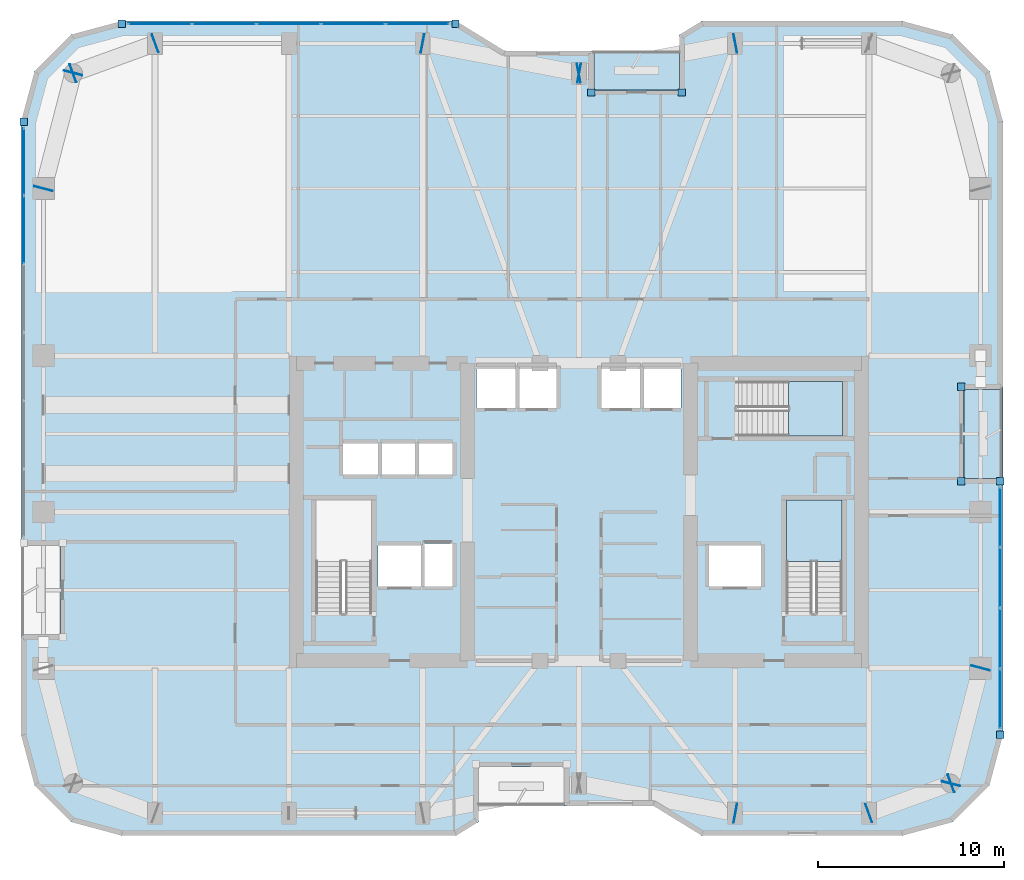
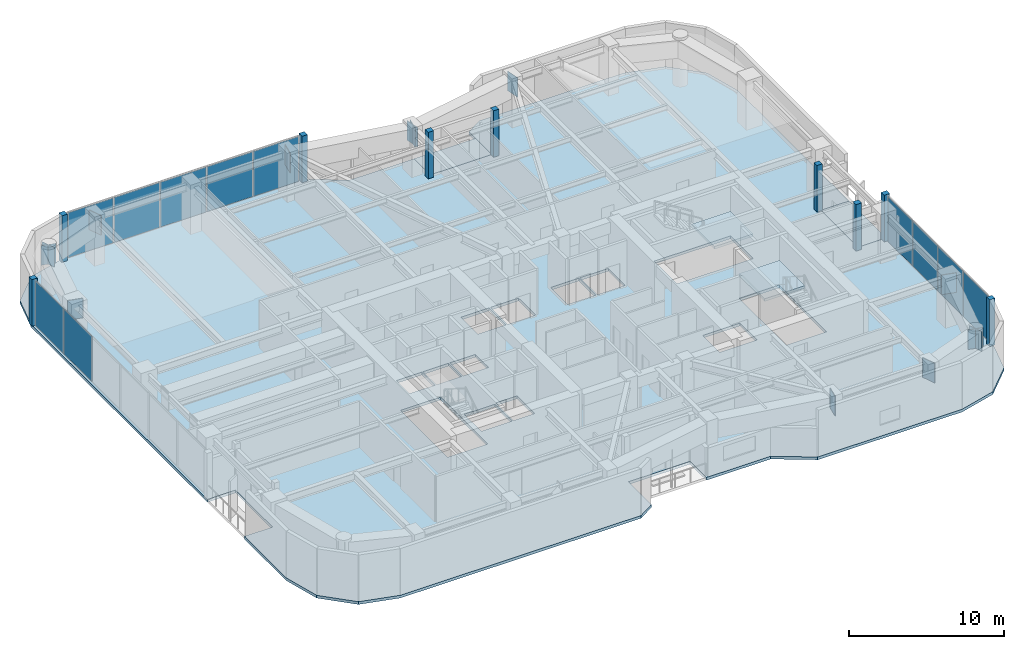
# One storey, part 22 of 30: 33 plates, 5 slabs, 5 elements without a shape of their own.
"""IFC4 building model written with IfcOpenShell, lengths in metres."""

from ifc_helpers import new_model, si_unit, direction, frame, origin, origin_2d, place, context, subcontext, project, spatial, polyline, rectangle, outline, extrude, material, layer, layer_set, type_object, element, aggregate, save


model = new_model("IFC4")

# Units and contexts
model_context = context("Model", 3, precision=1e-05, world=origin(), true_north=direction((0.0, 1.0)))
body_context = subcontext(model_context, "Body", "Model", "MODEL_VIEW")
ifc_project = project(units=[si_unit("LENGTHUNIT", "METRE"), si_unit("AREAUNIT", "SQUARE_METRE"), si_unit("VOLUMEUNIT", "CUBIC_METRE"), si_unit("PLANEANGLEUNIT", "RADIAN"), si_unit("MASSUNIT", "GRAM", prefix="KILO")], contexts=[model_context])

# Site, building, storey
site_placement = place(None, origin())
site = spatial("IfcSite", under=ifc_project, at=site_placement, CompositionType="ELEMENT")
building_placement = place(site_placement, origin())
building = spatial("IfcBuilding", under=site, at=building_placement, Name="Kiyonajd Concourse Tower", CompositionType="ELEMENT")
storey_placement = place(building_placement, frame((0.0, 0.0, 177.89990234375)))
storey = spatial("IfcBuildingStorey", under=building, at=storey_placement, Name="L45", CompositionType="ELEMENT", Elevation=177.89990234375)

# Plates
ifc_material_1 = material(Name="Steel ASTM A572 Grade 50", Category="steel")
ifc_layer_1 = layer(ifc_material_1, 0.031982421875)
ifc_layer_set_1 = layer_set([ifc_layer_1], Name="Steel ASTM A572 Grade 50")
plate_type_1 = type_object("IfcPlateType", Name="PL-CAP-540", PredefinedType="USERDEFINED", material=ifc_layer_set_1)
for number, where, z_axis, x_axis, name in (
    (1, (56.410888671875, 19.7978515625, 2.2099609375), (0.0, 0.0, 1.0), (0.982352599301, -0.187038420242, 0.0), "L45 Welded Box Girder End Cap"),
    (2, (63.589599609375, 19.796142578125, 2.2099609375), (0.0, 0.0, 1.0), (-0.939811951086, -0.341692107891, 0.0), "L45 Welded Box Girder End Cap"),
    (3, (68.01025390625, 21.40380859375, 2.2099609375), (0.0, 0.0, 1.0), (0.939811951086, 0.341692107891, 0.0), "L45 Welded Box Girder End Cap"),
    (4, (67.997314453125, 21.389404296875, 2.2099609375), (0.0, 0.0, 1.0), (-0.249873048837, -0.968278606324, 0.0), "L45 Welded Box Girder End Cap"),
    (5, (69.602783203125, 27.610595703125, 2.2099609375), (0.0, 0.0, 1.0), (0.249873048837, 0.968278606324, 0.0), "L45 Welded Box Girder End Cap"),
    (6, (56.410888671875, 61.2021484375, 2.2099609375), (0.0, 0.0, 1.0), (0.982352599301, 0.187038420242, 0.0), "L45 Welded Box Girder End Cap"),
    (7, (47.9892578125, 59.597900390625, 2.2099609375), (0.0, 0.0, 1.0), (-0.982352599301, -0.187038420242, 0.0), "L45 Welded Box Girder End Cap"),
    (8, (48.0107421875, 59.597900390625, 2.2099609375), (0.0, 0.0, 1.0), (0.982352599301, -0.187038420242, 0.0), "L45 Welded Box Girder End Cap"),
    (9, (39.589111328125, 61.2021484375, 2.2099609375), (0.0, 0.0, 1.0), (-0.982352599301, 0.187038420242, 0.0), "L45 Welded Box Girder End Cap"),
    (10, (25.210205078125, 61.203857421875, 2.2099609375), (0.0, 0.0, 1.0), (0.939811951086, 0.341692107891, 0.0), "L45 Welded Box Girder End Cap"),
    (11, (20.789794921875, 59.59619140625, 2.2099609375), (0.0, 0.0, 1.0), (-0.939811951086, -0.341692107891, 0.0), "L45 Welded Box Girder End Cap"),
    (12, (20.802734375, 59.610595703125, 2.2099609375), (0.0, 0.0, 1.0), (0.249873048837, 0.968278606324, 0.0), "L45 Welded Box Girder End Cap"),
    (13, (19.197265625, 53.389404296875, 2.2099609375), (0.0, 0.0, 1.0), (-0.249873048837, -0.968278606324, 0.0), "L45 Welded Box Girder End Cap"),
):
    element("IfcPlate", number, at=place(storey_placement, frame(where, z_axis=z_axis, x_axis=x_axis)), inside=storey, type_object=plate_type_1, Name=name, ObjectType="CAP PLATE", PredefinedType="USERDEFINED", context=body_context, shape_type="SweptSolid", body=[
        extrude(rectangle(XDim=0.035888671875, YDim=1.02001953125, at=origin_2d()), origin(), (0.0, 0.0, 1.0), 1.5400390625),
    ])

# Curtain wall, plates
ifc_material_2 = material(Name="Thermally Broken Anodised Aluminium", Category="aluminium")
ifc_layer_2 = layer(ifc_material_2, 0.179931640625)
ifc_layer_set_2 = layer_set([ifc_layer_2], Name="Thermally Broken Anodised Aluminium")
curtain_wall_type = type_object("IfcCurtainWallType", Name="CW-SYS-03", PredefinedType="NOTDEFINED", material=ifc_layer_set_2)
curtain_wall_1_placement = place(storey_placement, origin())
curtain_wall_1 = element("IfcCurtainWall", 14, at=curtain_wall_1_placement, inside=storey, type_object=curtain_wall_type, Name="L45 Unitised Curtain Wall CW3", PredefinedType="NOTDEFINED")
ifc_material_3 = material(Name="Double Low-E Insulated Glass", Category="glass")
ifc_layer_3 = layer(ifc_material_3, 0.033935546875)
ifc_layer_set_3 = layer_set([ifc_layer_3], Name="Double Low-E Insulated Glass")
plate_type_2 = type_object("IfcPlateType", Name="PL-CW-VIS34", PredefinedType="CURTAIN_PANEL", material=ifc_layer_set_3)
plate_1_placement = place(storey_placement, frame((18.139892578125, 51.17626953125, 0.06494140625), z_axis=(0.0, 0.0, 1.0), x_axis=(0.0, 1.0, 0.0)))
plate_1 = element("IfcPlate", 15, at=plate_1_placement, type_object=plate_type_2, Name="CW3 panel 5.1", PredefinedType="CURTAIN_PANEL", context=body_context, shape_type="SweptSolid", body=[
    extrude(rectangle(XDim=3.61181640625, YDim=0.033935546875, at=origin_2d()), origin(), (0.0, 0.0, 1.0), 3.550048828125),
])
plate_2_placement = place(storey_placement, frame((18.139892578125, 54.8369140625, 0.06494140625), z_axis=(0.0, 0.0, 1.0), x_axis=(0.0, 1.0, 0.0)))
plate_2 = element("IfcPlate", 16, at=plate_2_placement, type_object=plate_type_2, Name="CW3 panel 6.1", PredefinedType="CURTAIN_PANEL", context=body_context, shape_type="SweptSolid", body=[
    extrude(rectangle(XDim=3.579345703125, YDim=0.033935546875, at=origin_2d()), origin(), (0.0, 0.0, 1.0), 3.550048828125),
])
aggregate(curtain_wall_1, [plate_1, plate_2])

curtain_wall_2_placement = place(storey_placement, origin())
curtain_wall_2 = element("IfcCurtainWall", 17, at=curtain_wall_2_placement, inside=storey, type_object=curtain_wall_type, Name="L45 Unitised Curtain Wall CW3", PredefinedType="NOTDEFINED")
plate_3_placement = place(storey_placement, frame((25.4609375, 62.260009765625, 0.06494140625), z_axis=(0.0, 0.0, 1.0), x_axis=(1.0, 0.0, 0.0)))
plate_3 = element("IfcPlate", 18, at=plate_3_placement, type_object=plate_type_2, Name="CW3 panel 1.1", PredefinedType="CURTAIN_PANEL", context=body_context, shape_type="SweptSolid", body=[
    extrude(rectangle(XDim=3.375, YDim=0.033935546875, at=origin_2d()), origin(), (0.0, 0.0, 1.0), 3.550048828125),
])
plate_4_placement = place(storey_placement, frame((28.9169921875, 62.260009765625, 0.06494140625), z_axis=(0.0, 0.0, 1.0), x_axis=(1.0, 0.0, 0.0)))
plate_4 = element("IfcPlate", 19, at=plate_4_placement, type_object=plate_type_2, Name="CW3 panel 2.1", PredefinedType="CURTAIN_PANEL", context=body_context, shape_type="SweptSolid", body=[
    extrude(rectangle(XDim=3.407470703125, YDim=0.033935546875, at=origin_2d()), origin(), (0.0, 0.0, 1.0), 3.550048828125),
])
plate_5_placement = place(storey_placement, frame((32.389404296875, 62.260009765625, 0.06494140625), z_axis=(0.0, 0.0, 1.0), x_axis=(1.0, 0.0, 0.0)))
plate_5 = element("IfcPlate", 20, at=plate_5_placement, type_object=plate_type_2, Name="CW3 panel 3.1", PredefinedType="CURTAIN_PANEL", context=body_context, shape_type="SweptSolid", body=[
    extrude(rectangle(XDim=3.407470703125, YDim=0.033935546875, at=origin_2d()), origin(), (0.0, 0.0, 1.0), 3.550048828125),
])
plate_6_placement = place(storey_placement, frame((35.86181640625, 62.260009765625, 0.06494140625), z_axis=(0.0, 0.0, 1.0), x_axis=(1.0, 0.0, 0.0)))
plate_6 = element("IfcPlate", 21, at=plate_6_placement, type_object=plate_type_2, Name="CW3 panel 4.1", PredefinedType="CURTAIN_PANEL", context=body_context, shape_type="SweptSolid", body=[
    extrude(rectangle(XDim=3.407470703125, YDim=0.033935546875, at=origin_2d()), origin(), (0.0, 0.0, 1.0), 3.550048828125),
])
plate_7_placement = place(storey_placement, frame((39.31787109375, 62.260009765625, 0.06494140625), z_axis=(0.0, 0.0, 1.0), x_axis=(1.0, 0.0, 0.0)))
plate_7 = element("IfcPlate", 22, at=plate_7_placement, type_object=plate_type_2, Name="CW3 panel 5.1", PredefinedType="CURTAIN_PANEL", context=body_context, shape_type="SweptSolid", body=[
    extrude(rectangle(XDim=3.375, YDim=0.033935546875, at=origin_2d()), origin(), (0.0, 0.0, 1.0), 3.550048828125),
])
aggregate(curtain_wall_2, [plate_3, plate_4, plate_5, plate_6, plate_7])

curtain_wall_3_placement = place(storey_placement, origin())
curtain_wall_3 = element("IfcCurtainWall", 23, at=curtain_wall_3_placement, inside=storey, type_object=curtain_wall_type, Name="L45 Unitised Curtain Wall CW3", PredefinedType="NOTDEFINED")
plate_8_placement = place(storey_placement, frame((70.659912109375, 35.720947265625, 0.06494140625), z_axis=(0.0, 0.0, 1.0), x_axis=(0.0, -1.0, 0.0)))
plate_8 = element("IfcPlate", 24, at=plate_8_placement, type_object=plate_type_2, Name="CW3 panel 1.1", PredefinedType="CURTAIN_PANEL", context=body_context, shape_type="SweptSolid", body=[
    extrude(rectangle(XDim=3.16796875, YDim=0.033935546875, at=origin_2d()), origin(), (0.0, 0.0, 1.0), 3.550048828125),
])
plate_9_placement = place(storey_placement, frame((70.659912109375, 32.471923828125, 0.06494140625), z_axis=(0.0, 0.0, 1.0), x_axis=(0.0, -1.0, 0.0)))
plate_9 = element("IfcPlate", 25, at=plate_9_placement, type_object=plate_type_2, Name="CW3 panel 2.1", PredefinedType="CURTAIN_PANEL", context=body_context, shape_type="SweptSolid", body=[
    extrude(rectangle(XDim=3.200439453125, YDim=0.033935546875, at=origin_2d()), origin(), (0.0, 0.0, 1.0), 3.550048828125),
])
plate_10_placement = place(storey_placement, frame((70.659912109375, 29.20654296875, 0.06494140625), z_axis=(0.0, 0.0, 1.0), x_axis=(0.0, -1.0, 0.0)))
plate_10 = element("IfcPlate", 26, at=plate_10_placement, type_object=plate_type_2, Name="CW3 panel 3.1", PredefinedType="CURTAIN_PANEL", context=body_context, shape_type="SweptSolid", body=[
    extrude(rectangle(XDim=3.200439453125, YDim=0.033935546875, at=origin_2d()), origin(), (0.0, 0.0, 1.0), 3.550048828125),
])
plate_11_placement = place(storey_placement, frame((70.659912109375, 25.957275390625, 0.06494140625), z_axis=(0.0, 0.0, 1.0), x_axis=(0.0, -1.0, 0.0)))
plate_11 = element("IfcPlate", 27, at=plate_11_placement, type_object=plate_type_2, Name="CW3 panel 4.1", PredefinedType="CURTAIN_PANEL", context=body_context, shape_type="SweptSolid", body=[
    extrude(rectangle(XDim=3.16796875, YDim=0.033935546875, at=origin_2d()), origin(), (0.0, 0.0, 1.0), 3.550048828125),
])
aggregate(curtain_wall_3, [plate_8, plate_9, plate_10, plate_11])

# Plates
ifc_layer_4 = layer(ifc_material_2, 0.39990234375)
ifc_layer_set_4 = layer_set([ifc_layer_4], Name="Thermally Broken Anodised Aluminium")
plate_type_3 = type_object("IfcPlateType", Name="PL-JMB-400", PredefinedType="USERDEFINED", material=ifc_layer_set_4)
for number, where, z_axis, x_axis, name in (
    (28, (18.139892578125, 56.981689453125, 0.0), (0.0, 0.0, 1.0), (1.0, 0.0, 0.0), "L45 Facade Jamb Closure Plate 04"),
    (29, (23.41845703125, 62.260009765625, 0.0), (0.0, 0.0, 1.0), (1.0, 0.0, 0.0), "L45 Facade Jamb Closure Plate 05"),
    (30, (41.3603515625, 62.260009765625, 0.0), (0.0, 0.0, 1.0), (1.0, 0.0, 0.0), "L45 Facade Jamb Closure Plate 06"),
    (31, (48.659912109375, 58.56005859375, 0.0), (0.0, 0.0, 1.0), (1.0, 0.0, 0.0), "L45 Facade Jamb Closure Plate 07"),
    (32, (53.5400390625, 58.56005859375, 0.0), (0.0, 0.0, 1.0), (1.0, 0.0, 0.0), "L45 Facade Jamb Closure Plate 08"),
    (33, (68.56005859375, 42.739990234375, 0.0), (0.0, 0.0, 1.0), (1.0, 0.0, 0.0), "L45 Facade Jamb Closure Plate 09"),
    (34, (68.56005859375, 37.659912109375, 0.0), (0.0, 0.0, 1.0), (1.0, 0.0, 0.0), "L45 Facade Jamb Closure Plate 10"),
    (35, (70.659912109375, 37.659912109375, 0.0), (0.0, 0.0, 1.0), (1.0, 0.0, 0.0), "L45 Facade Jamb Closure Plate 11"),
    (36, (70.659912109375, 24.018310546875, 0.0), (0.0, 0.0, 1.0), (1.0, 0.0, 0.0), "L45 Facade Jamb Closure Plate 12"),
):
    element("IfcPlate", number, at=place(storey_placement, frame(where, z_axis=z_axis, x_axis=x_axis)), inside=storey, type_object=plate_type_3, Name=name, ObjectType="JAMB PLATE", PredefinedType="USERDEFINED", context=body_context, shape_type="SweptSolid", body=[
        extrude(rectangle(XDim=0.39990234375, YDim=0.39990234375, at=origin_2d()), origin(), (0.0, 0.0, 1.0), 3.679931640625),
    ])

# Stair, slab
ifc_material_4 = material(Name="Concrete C40/50", Category="concrete")
stair_type = type_object("IfcStairType", Name="ST-DLG-22R", PredefinedType="HALF_TURN_STAIR", material=ifc_material_4)
stair_1_placement = place(storey_placement, origin())
stair_1 = element("IfcStair", 37, at=stair_1_placement, inside=storey, type_object=stair_type, Name="L45 Protected Exit Stair ST2", PredefinedType="HALF_TURN_STAIR")
ifc_layer_5 = layer(ifc_material_4, 0.199951171875)
ifc_layer_set_5 = layer_set([ifc_layer_5], Name="Concrete C40/50")
slab_type_1 = type_object("IfcSlabType", Name="SL-LND-200", PredefinedType="LANDING", material=ifc_layer_set_5)
slab_1_placement = place(storey_placement, frame((0.0, 0.0, 1.75)))
slab_1 = element("IfcSlab", 38, at=slab_1_placement, type_object=slab_type_1, Name="ST2 landing 1", PredefinedType="LANDING", context=body_context, shape_type="SweptSolid", body=[
    extrude(outline(polyline([(62.14990234375, 33.35009765625), (62.14990234375, 36.64990234375), (59.14990234375, 36.64990234375), (59.14990234375, 33.35009765625), (62.14990234375, 33.35009765625)])), origin(), (0.0, 0.0, 1.0), 0.2001953125),
])
aggregate(stair_1, [slab_1])

stair_2_placement = place(storey_placement, origin())
stair_2 = element("IfcStair", 39, at=stair_2_placement, inside=storey, type_object=stair_type, Name="L45 Protected Exit Stair ST3", PredefinedType="HALF_TURN_STAIR")
slab_2_placement = place(storey_placement, frame((0.0, 0.0, 1.75)))
slab_2 = element("IfcSlab", 40, at=slab_2_placement, type_object=slab_type_1, Name="ST3 landing 1", PredefinedType="LANDING", context=body_context, shape_type="SweptSolid", body=[
    extrude(outline(polyline([(59.280029296875, 40.080078125), (62.179931640625, 40.080078125), (62.179931640625, 43.02001953125), (59.280029296875, 43.02001953125), (59.280029296875, 40.080078125)])), origin(), (0.0, 0.0, 1.0), 0.2001953125),
])
aggregate(stair_2, [slab_2])

# Slabs
ifc_material_5 = material(Name="Precast concrete C50/60", Category="concrete")
ifc_layer_6 = layer(ifc_material_5, 0.199951171875)
ifc_layer_set_6 = layer_set([ifc_layer_6], Name="Precast concrete C50/60")
slab_type_2 = type_object("IfcSlabType", Name="SL-LOG-200", PredefinedType="FLOOR", material=ifc_layer_set_6)
slab_3_placement = place(storey_placement, frame((0.0, 0.0, -0.199951171875)))
element("IfcSlab", 41, at=slab_3_placement, inside=storey, type_object=slab_type_2, Name="L45 Recessed Engawa Loggia Terrace Slab LOG-N", PredefinedType="FLOOR", context=body_context, shape_type="SweptSolid", body=[
    extrude(outline(polyline([(48.800048828125, 58.699951171875), (53.39990234375, 58.699951171875), (53.39990234375, 60.800048828125), (48.800048828125, 60.800048828125), (48.800048828125, 58.699951171875)])), origin(), (0.0, 0.0, 1.0), 0.199951171875),
])
slab_4_placement = place(storey_placement, frame((0.0, 0.0, -0.199951171875)))
element("IfcSlab", 42, at=slab_4_placement, inside=storey, type_object=slab_type_2, Name="L45 Recessed Engawa Loggia Terrace Slab LOG-E", PredefinedType="FLOOR", context=body_context, shape_type="SweptSolid", body=[
    extrude(outline(polyline([(68.699951171875, 37.800048828125), (70.800048828125, 37.800048828125), (70.800048828125, 42.60009765625), (68.699951171875, 42.60009765625), (68.699951171875, 37.800048828125)])), origin(), (0.0, 0.0, 1.0), 0.199951171875),
])
ifc_layer_7 = layer(ifc_material_4, 0.219970703125)
ifc_layer_set_7 = layer_set([ifc_layer_7], Name="Concrete C40/50")
slab_type_3 = type_object("IfcSlabType", Name="SL-TWR-220", PredefinedType="FLOOR", material=ifc_layer_set_7)
slab_5_placement = place(storey_placement, frame((0.0, 0.0, -0.219970703125)))
element("IfcSlab", 43, at=slab_5_placement, inside=storey, type_object=slab_type_3, Name="L45 Tower Conditioned Floor Slab", PredefinedType="FLOOR", context=body_context, shape_type="SweptSolid", body=[
    extrude(outline(polyline([(18.722900390625, 21.300048828125), (18.0, 24.0), (18.0, 29.39990234375), (20.10009765625, 29.39990234375), (20.10009765625, 34.199951171875), (18.0, 34.199951171875), (18.0, 57.0), (18.722900390625, 59.699951171875), (20.699951171875, 61.677001953125), (23.39990234375, 62.39990234375), (41.39990234375, 62.39990234375), (44.0, 60.800048828125), (48.800048828125, 60.800048828125), (48.800048828125, 58.699951171875), (53.39990234375, 58.699951171875), (53.39990234375, 61.662109375), (54.60009765625, 62.39990234375), (65.39990234375, 62.39990234375), (68.10009765625, 61.677001953125), (70.076904296875, 59.699951171875), (70.800048828125, 57.0), (70.800048828125, 42.60009765625), (68.699951171875, 42.60009765625), (68.699951171875, 37.800048828125), (70.800048828125, 37.800048828125), (70.800048828125, 24.0), (70.076904296875, 21.300048828125), (68.10009765625, 19.322998046875), (65.39990234375, 18.60009765625), (54.60009765625, 18.60009765625), (52.0, 20.199951171875), (47.199951171875, 20.199951171875), (47.199951171875, 22.300048828125), (42.60009765625, 22.300048828125), (42.60009765625, 19.337890625), (41.39990234375, 18.60009765625), (23.39990234375, 18.60009765625), (20.699951171875, 19.322998046875), (18.722900390625, 21.300048828125)]), holes=[polyline([(39.5, 32.0), (37.199951171875, 32.0), (37.199951171875, 34.199951171875), (39.5, 34.199951171875), (39.5, 32.0)]), polyline([(39.60009765625, 32.0), (39.60009765625, 34.300048828125), (41.199951171875, 34.300048828125), (41.199951171875, 32.0), (39.60009765625, 32.0)]), polyline([(33.85009765625, 30.550048828125), (33.85009765625, 36.64990234375), (36.85009765625, 36.64990234375), (36.85009765625, 30.550048828125), (33.85009765625, 30.550048828125)]), polyline([(37.199951171875, 38.0), (35.300048828125, 38.0), (35.300048828125, 39.699951171875), (37.199951171875, 39.699951171875), (37.199951171875, 38.0)]), polyline([(37.300048828125, 38.0), (37.300048828125, 39.699951171875), (39.199951171875, 39.699951171875), (39.199951171875, 38.0), (37.300048828125, 38.0)]), polyline([(39.300048828125, 38.0), (39.300048828125, 39.699951171875), (41.199951171875, 39.699951171875), (41.199951171875, 38.0), (39.300048828125, 38.0)]), polyline([(44.60009765625, 41.60009765625), (42.5, 41.60009765625), (42.5, 43.800048828125), (44.60009765625, 43.800048828125), (44.60009765625, 41.60009765625)]), polyline([(55.0, 32.0), (55.0, 34.199951171875), (57.800048828125, 34.199951171875), (57.800048828125, 32.0), (55.0, 32.0)]), polyline([(59.14990234375, 30.550048828125), (59.14990234375, 36.64990234375), (62.14990234375, 36.64990234375), (62.14990234375, 30.550048828125), (59.14990234375, 30.550048828125)]), polyline([(56.47998046875, 43.02001953125), (62.179931640625, 43.02001953125), (62.179931640625, 40.080078125), (56.47998046875, 40.080078125), (56.47998046875, 43.02001953125)]), polyline([(44.699951171875, 41.60009765625), (44.699951171875, 43.800048828125), (46.800048828125, 43.800048828125), (46.800048828125, 41.60009765625), (44.699951171875, 41.60009765625)]), polyline([(49.199951171875, 41.60009765625), (49.199951171875, 43.800048828125), (51.300048828125, 43.800048828125), (51.300048828125, 41.60009765625), (49.199951171875, 41.60009765625)]), polyline([(51.39990234375, 41.60009765625), (51.39990234375, 43.800048828125), (53.5, 43.800048828125), (53.5, 41.60009765625), (51.39990234375, 41.60009765625)])]), origin(), (0.0, 0.0, 1.0), 0.219970703125),
])

save(model, "model.ifc")
